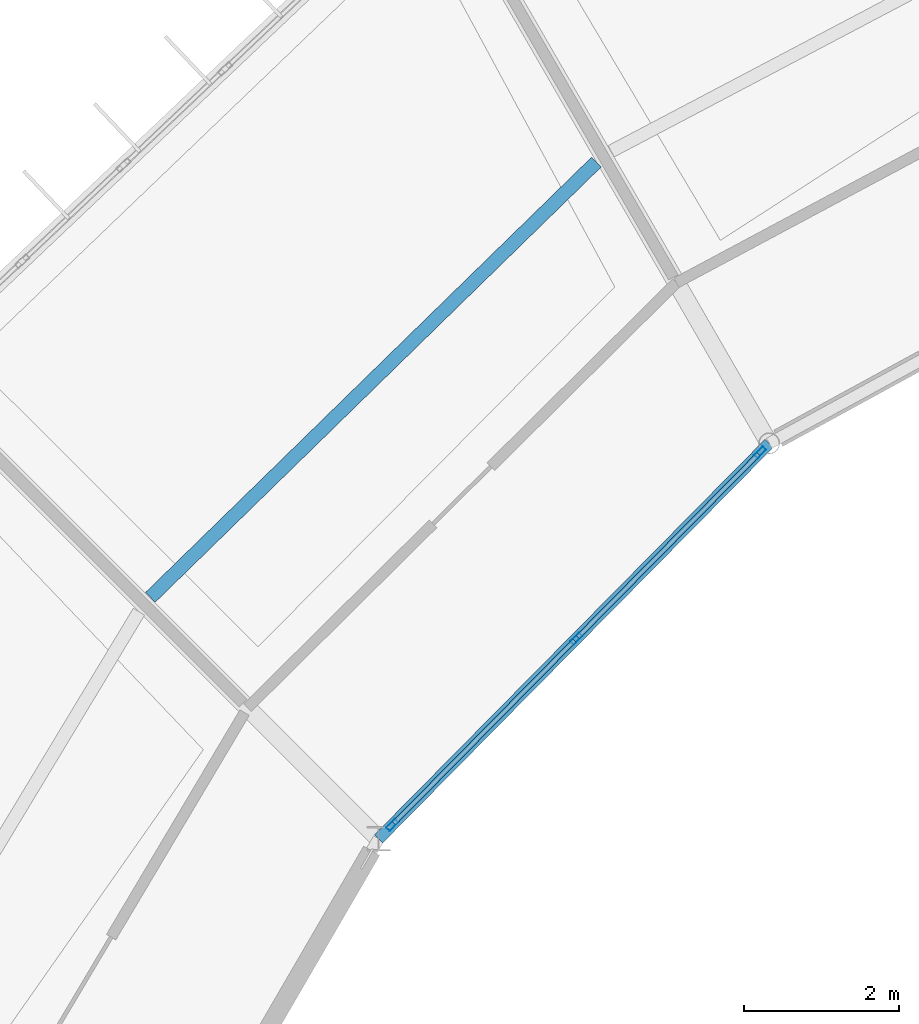
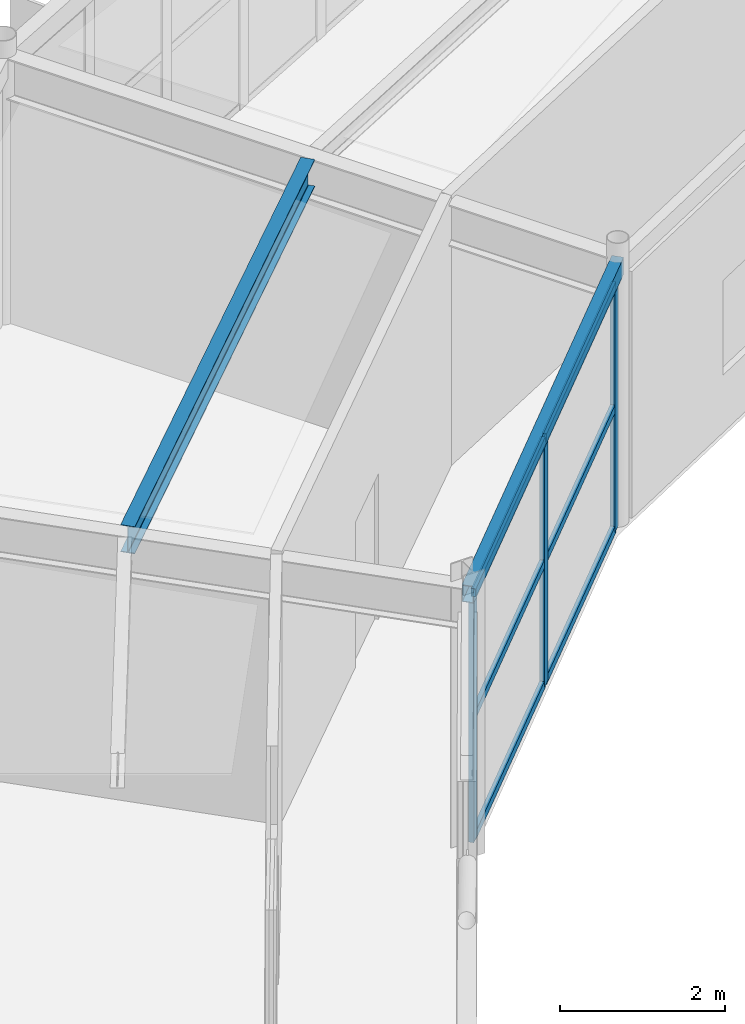
# One storey, part 75 of 147: 9 members, 2 beams, 1 element without a shape of its own.
"""IFC4 building model written with IfcOpenShell, lengths in metres."""

from ifc_helpers import new_model, si_unit, direction, frame, origin, origin_2d, place, context, subcontext, project, spatial, hollow_rectangle, i_section, extrude, material, material_profile, profile_set, type_object, element, aggregate, save


model = new_model("IFC4")

# Units and contexts
model_context = context("Model", 3, precision=1e-05, world=origin(), true_north=direction((0.0, 1.0)))
body_context = subcontext(model_context, "Body", "Model", "MODEL_VIEW")
ifc_project = project(units=[si_unit("LENGTHUNIT", "METRE"), si_unit("AREAUNIT", "SQUARE_METRE"), si_unit("VOLUMEUNIT", "CUBIC_METRE"), si_unit("PLANEANGLEUNIT", "RADIAN"), si_unit("MASSUNIT", "GRAM", prefix="KILO")], contexts=[model_context])

# Site, building, storey
site_placement = place(None, origin())
site = spatial("IfcSite", under=ifc_project, at=site_placement, CompositionType="ELEMENT")
building_placement = place(site_placement, origin())
building = spatial("IfcBuilding", under=site, at=building_placement, Name="Karori Crest Natural Sciences Institute", CompositionType="ELEMENT")
storey_placement = place(building_placement, frame((0.0, 0.0, 9.10009765625)))
storey = spatial("IfcBuildingStorey", under=building, at=storey_placement, Name="L02", CompositionType="ELEMENT", Elevation=9.10009765625)

# Beams
ifc_material_1 = material(Name="Hollow structural steel AS/NZS 1163 Grade C350", Category="steel")
ifc_material_profile_1 = material_profile(ifc_material_1, hollow_rectangle(XDim=0.14990234375, YDim=0.25, WallThickness=0.009033203125, at=origin_2d()), Name="RHS250x150x9")
ifc_profile_set_1 = profile_set([ifc_material_profile_1], Name="Hollow structural steel AS/NZS 1163 Grade C350")
beam_type_1 = type_object("IfcBeamType", Name="BT-16", PredefinedType="SPANDREL", material=ifc_profile_set_1)
beam_1_placement = place(storey_placement, frame((54.199951171875, 77.785888671875, 3.789794921875), z_axis=(-0.70266285879, -0.711522948946, 0.0), x_axis=(0.711522948946, -0.70266285879, 0.0)))
element("IfcBeam", 1, at=beam_1_placement, inside=storey, type_object=beam_type_1, Name="Beam B-0302", PredefinedType="SPANDREL", context=body_context, shape_type="SweptSolid", body=[
    extrude(hollow_rectangle(XDim=0.14990234375, YDim=0.25, WallThickness=0.009033203125, at=origin_2d()), origin(), (0.0, 0.0, 1.0), 7.19189453125),
])
ifc_material_2 = material(Name="Structural steel AS/NZS 3679.1 Grade 350", Category="steel")
ifc_material_profile_2 = material_profile(ifc_material_2, i_section(OverallWidth=0.177978515625, OverallDepth=0.403076171875, WebThickness=0.007568359375, FlangeThickness=0.010986328125, FilletRadius=0.010986328125, at=origin_2d()), Name="410UB53.7")
ifc_profile_set_2 = profile_set([ifc_material_profile_2], Name="Structural steel AS/NZS 3679.1 Grade 350")
beam_type_2 = type_object("IfcBeamType", Name="BT-29", PredefinedType="BEAM", material=ifc_profile_set_2)
beam_2_placement = place(storey_placement, frame((51.964111328125, 81.426025390625, 3.73828125), z_axis=(-0.715696324431, -0.698411605857, 0.0), x_axis=(0.698411605857, -0.715696324431, 0.0)))
element("IfcBeam", 2, at=beam_2_placement, inside=storey, type_object=beam_type_2, Name="Beam B-0304", PredefinedType="BEAM", context=body_context, shape_type="SweptSolid", body=[
    extrude(i_section(OverallWidth=0.177978515625, OverallDepth=0.403076171875, WebThickness=0.007568359375, FlangeThickness=0.010986328125, FilletRadius=0.010986328125, at=origin_2d()), origin(), (0.0, 0.0, 1.0), 8.065185546875),
])

# Curtain wall, members
ifc_material_3 = material(Name="Anodised architectural aluminium 6063-T6", Category="aluminium")
curtain_wall_type = type_object("IfcCurtainWallType", Name="CWT-14", PredefinedType="NOTDEFINED", material=ifc_material_3)
curtain_wall_placement = place(storey_placement, origin())
curtain_wall = element("IfcCurtainWall", 3, at=curtain_wall_placement, inside=storey, type_object=curtain_wall_type, Name="Curtain wall CW-0078", PredefinedType="NOTDEFINED")
ifc_material_profile_3 = material_profile(ifc_material_3, hollow_rectangle(XDim=0.06494140625, YDim=0.159912109375, WallThickness=0.00390625, at=origin_2d()), Name="CWM160x65x4")
ifc_profile_set_3 = profile_set([ifc_material_profile_3], Name="Anodised architectural aluminium 6063-T6")
member_type_1 = type_object("IfcMemberType", Name="CWM-01", PredefinedType="MULLION", material=ifc_profile_set_3)
member_1_placement = place(storey_placement, frame((54.082763671875, 77.667236328125, 0.0), z_axis=(0.0, 0.0, 1.0), x_axis=(0.71152941525, -0.70265631089, 0.0)))
member_1 = element("IfcMember", 4, at=member_1_placement, type_object=member_type_1, Name="CW-0078 mullion 1", PredefinedType="MULLION", context=body_context, shape_type="SweptSolid", body=[
    extrude(hollow_rectangle(XDim=0.06494140625, YDim=0.159912109375, WallThickness=0.00390625, at=origin_2d()), origin(), (0.0, 0.0, 1.0), 3.64990234375),
])
member_2_placement = place(storey_placement, frame((51.7021484375, 75.256591796875, 0.0), z_axis=(0.0, 0.0, 1.0), x_axis=(0.71152941525, -0.70265631089, 0.0)))
member_2 = element("IfcMember", 5, at=member_2_placement, type_object=member_type_1, Name="CW-0078 mullion 2", PredefinedType="MULLION", context=body_context, shape_type="SweptSolid", body=[
    extrude(hollow_rectangle(XDim=0.06494140625, YDim=0.159912109375, WallThickness=0.00390625, at=origin_2d()), origin(), (0.0, 0.0, 1.0), 3.64990234375),
])
member_3_placement = place(storey_placement, frame((49.321533203125, 72.845947265625, 0.0), z_axis=(0.0, 0.0, 1.0), x_axis=(0.71152941525, -0.70265631089, 0.0)))
member_3 = element("IfcMember", 6, at=member_3_placement, type_object=member_type_1, Name="CW-0078 mullion 3", PredefinedType="MULLION", context=body_context, shape_type="SweptSolid", body=[
    extrude(hollow_rectangle(XDim=0.06494140625, YDim=0.159912109375, WallThickness=0.00390625, at=origin_2d()), origin(), (0.0, 0.0, 1.0), 3.64990234375),
])
ifc_material_profile_4 = material_profile(ifc_material_3, hollow_rectangle(XDim=0.06005859375, YDim=0.1201171875, WallThickness=0.00390625, at=origin_2d()), Name="CWT120x60x4")
ifc_profile_set_4 = profile_set([ifc_material_profile_4], Name="Anodised architectural aluminium 6063-T6")
member_type_2 = type_object("IfcMemberType", Name="CWT-TR1", PredefinedType="USERDEFINED", material=ifc_profile_set_4)
member_4_placement = place(storey_placement, frame((54.059814453125, 77.64404296875, 0.02978515625), z_axis=(-0.702684728982, -0.711501350424, 0.0), x_axis=(0.711501350424, -0.702684728982, 0.0)))
member_4 = element("IfcMember", 7, at=member_4_placement, type_object=member_type_2, Name="CW-0078 transom 1.1", ObjectType="TRANSOM", PredefinedType="USERDEFINED", context=body_context, shape_type="SweptSolid", body=[
    extrude(hollow_rectangle(XDim=0.06005859375, YDim=0.1201171875, WallThickness=0.00390625, at=origin_2d()), origin(), (0.0, 0.0, 1.0), 3.322998046875),
])
member_5_placement = place(storey_placement, frame((54.059814453125, 77.64404296875, 1.824951171875), z_axis=(-0.702684728982, -0.711501350424, 0.0), x_axis=(0.711501350424, -0.702684728982, 0.0)))
member_5 = element("IfcMember", 8, at=member_5_placement, type_object=member_type_2, Name="CW-0078 transom 1.2", ObjectType="TRANSOM", PredefinedType="USERDEFINED", context=body_context, shape_type="SweptSolid", body=[
    extrude(hollow_rectangle(XDim=0.06005859375, YDim=0.1201171875, WallThickness=0.00390625, at=origin_2d()), origin(), (0.0, 0.0, 1.0), 3.322998046875),
])
member_6_placement = place(storey_placement, frame((54.059814453125, 77.64404296875, 3.619873046875), z_axis=(-0.702684728982, -0.711501350424, 0.0), x_axis=(0.711501350424, -0.702684728982, 0.0)))
member_6 = element("IfcMember", 9, at=member_6_placement, type_object=member_type_2, Name="CW-0078 transom 1.3", ObjectType="TRANSOM", PredefinedType="USERDEFINED", context=body_context, shape_type="SweptSolid", body=[
    extrude(hollow_rectangle(XDim=0.06005859375, YDim=0.1201171875, WallThickness=0.00390625, at=origin_2d()), origin(), (0.0, 0.0, 1.0), 3.322998046875),
])
member_7_placement = place(storey_placement, frame((51.67919921875, 75.2333984375, 0.02978515625), z_axis=(-0.702647532142, -0.711538084416, 0.0), x_axis=(0.711538084416, -0.702647532142, 0.0)))
member_7 = element("IfcMember", 10, at=member_7_placement, type_object=member_type_2, Name="CW-0078 transom 2.1", ObjectType="TRANSOM", PredefinedType="USERDEFINED", context=body_context, shape_type="SweptSolid", body=[
    extrude(hollow_rectangle(XDim=0.06005859375, YDim=0.1201171875, WallThickness=0.00390625, at=origin_2d()), origin(), (0.0, 0.0, 1.0), 3.32275390625),
])
member_8_placement = place(storey_placement, frame((51.67919921875, 75.2333984375, 1.824951171875), z_axis=(-0.702647532142, -0.711538084416, 0.0), x_axis=(0.711538084416, -0.702647532142, 0.0)))
member_8 = element("IfcMember", 11, at=member_8_placement, type_object=member_type_2, Name="CW-0078 transom 2.2", ObjectType="TRANSOM", PredefinedType="USERDEFINED", context=body_context, shape_type="SweptSolid", body=[
    extrude(hollow_rectangle(XDim=0.06005859375, YDim=0.1201171875, WallThickness=0.00390625, at=origin_2d()), origin(), (0.0, 0.0, 1.0), 3.32275390625),
])
member_9_placement = place(storey_placement, frame((51.67919921875, 75.2333984375, 3.619873046875), z_axis=(-0.702647532142, -0.711538084416, 0.0), x_axis=(0.711538084416, -0.702647532142, 0.0)))
member_9 = element("IfcMember", 12, at=member_9_placement, type_object=member_type_2, Name="CW-0078 transom 2.3", ObjectType="TRANSOM", PredefinedType="USERDEFINED", context=body_context, shape_type="SweptSolid", body=[
    extrude(hollow_rectangle(XDim=0.06005859375, YDim=0.1201171875, WallThickness=0.00390625, at=origin_2d()), origin(), (0.0, 0.0, 1.0), 3.32275390625),
])
aggregate(curtain_wall, [member_1, member_2, member_3, member_4, member_5, member_6, member_7, member_8, member_9])

save(model, "model.ifc")
